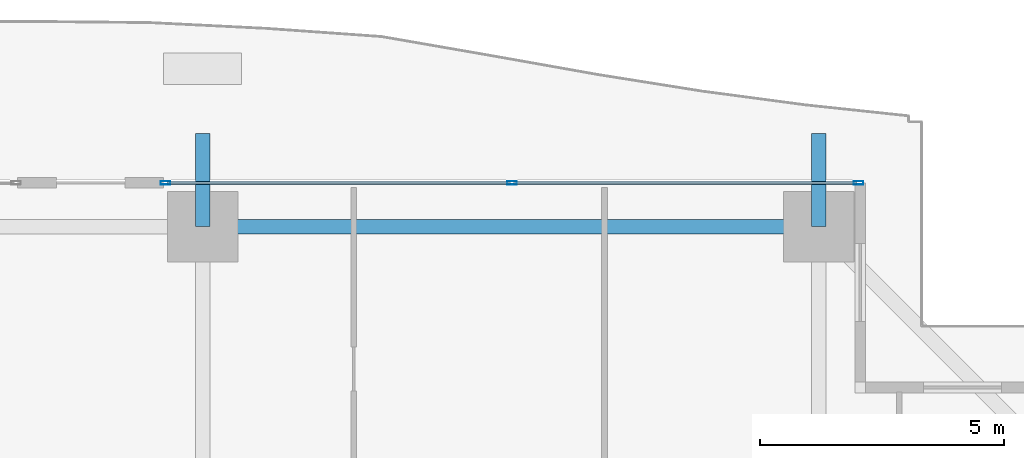
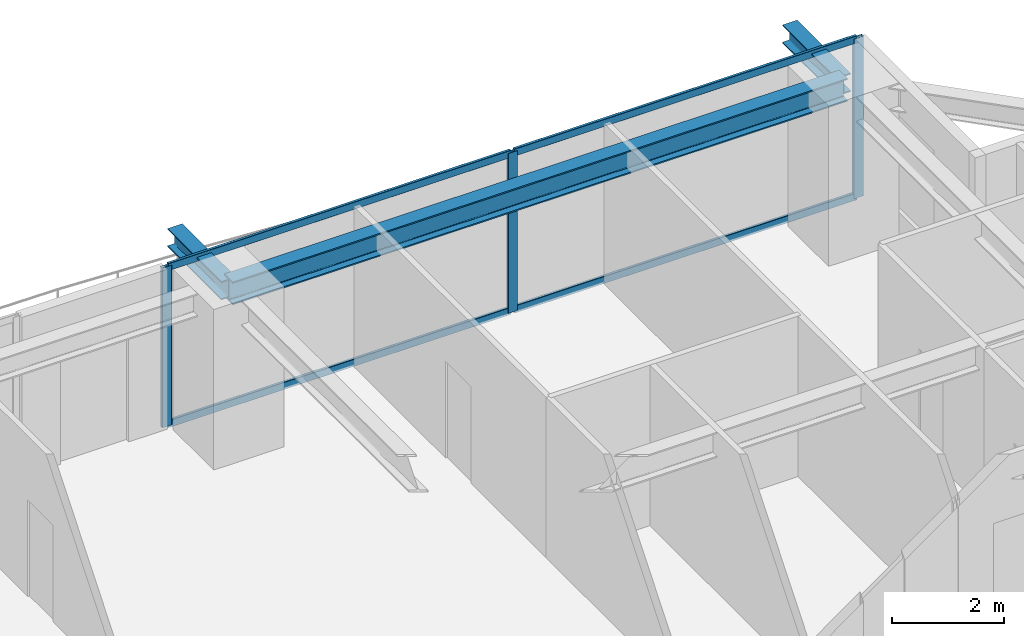
# One storey, part 21 of 36: 7 members, 3 beams, 1 element without a shape of its own.
"""IFC4 building model written with IfcOpenShell, lengths in metres."""

import ifcopenshell
import ifcopenshell.guid

model = None  # the IFC model being written
_history = None  # IfcOwnerHistory: only IFC2X3 demands one
_inside = {}  # id of a spatial element -> (the spatial element, [elements in it])
_under = {}  # id of a project, library or spatial element -> (it, [spatial elements below it])
_declared = {}  # id of a project -> (the project, [libraries it declares])
_typed = {}  # id of a type object -> (the type object, [elements of that type])
_made_of = {}  # id of a material, layer set ... -> (it, [elements and type objects made of it])


def new_model(schema):
    """Start an empty IFC model of exactly this schema.

    Asked for "IFC4X3", IfcOpenShell would pick the latest addendum, in which some entities
    have other attributes; the version numbers below select the first issue.
    IFC2X3 requires an IfcOwnerHistory on every rooted entity: one is made here for all.
    """
    global model, _history
    if schema == "IFC4X3":
        model = ifcopenshell.file(schema_version=(4, 3, 0, 0))
    else:
        model = ifcopenshell.file(schema=schema)
    _inside.clear()
    _under.clear()
    _declared.clear()
    _typed.clear()
    _made_of.clear()
    _history = None
    if model.schema == "IFC2X3":
        org = make("IfcOrganization", Name="unknown")
        user = make(
            "IfcPersonAndOrganization",
            ThePerson=make("IfcPerson", FamilyName="unknown"),
            TheOrganization=org,
        )
        app = make(
            "IfcApplication",
            ApplicationDeveloper=org,
            Version="unknown",
            ApplicationFullName="unknown",
            ApplicationIdentifier="unknown",
        )
        _history = make(
            "IfcOwnerHistory",
            OwningUser=user,
            OwningApplication=app,
            ChangeAction="ADDED",
            CreationDate=0,
        )
    return model


def make(cls, **values):
    """One entity of the class cls with the attributes given. An attribute that is None is left unset."""
    return model.create_entity(
        cls, **{name: value for name, value in values.items() if value is not None}
    )


def rooted(cls, **values):
    """An entity with a GlobalId (a new one), such as an element, a storey or a relation."""
    return make(cls, GlobalId=ifcopenshell.guid.new(), OwnerHistory=_history, **values)


def si_unit(unit_type, name, prefix=None):
    """IfcSIUnit, for example si_unit("LENGTHUNIT", "METRE", prefix="MILLI")."""
    return make("IfcSIUnit", UnitType=unit_type, Prefix=prefix, Name=name)


def assignment(units):
    """IfcUnitAssignment: the units of a project."""
    return None if units is None else make("IfcUnitAssignment", Units=units)


def point(xyz):
    """IfcCartesianPoint."""
    return None if xyz is None else make("IfcCartesianPoint", Coordinates=xyz)


def direction(xyz):
    """IfcDirection."""
    return None if xyz is None else make("IfcDirection", DirectionRatios=xyz)


def frame(location, z_axis=None, x_axis=None):
    """IfcAxis2Placement3D, a coordinate frame: its origin and axes. An axis left out is left unset."""
    return make(
        "IfcAxis2Placement3D",
        Location=point(location),
        Axis=direction(z_axis),
        RefDirection=direction(x_axis),
    )


def frame_2d(location, x_axis=None):
    """IfcAxis2Placement2D, a coordinate frame in the plane: its origin and x axis."""
    return make(
        "IfcAxis2Placement2D", Location=point(location), RefDirection=direction(x_axis)
    )


def origin():
    """The frame at (0, 0, 0) with its axes left unset."""
    return frame((0.0, 0.0, 0.0))


def origin_2d():
    """The frame at (0, 0) in the plane with its x axis left unset."""
    return frame_2d((0.0, 0.0))


def place(relative_to, where):
    """IfcLocalPlacement: puts the frame where relative to a parent placement (None: the world)."""
    return make(
        "IfcLocalPlacement", PlacementRelTo=relative_to, RelativePlacement=where
    )


def context(
    kind, dimensions, precision=None, world=None, true_north=None, identifier=None
):
    """IfcGeometricRepresentationContext, for example the 3D "Model" context."""
    return make(
        "IfcGeometricRepresentationContext",
        ContextIdentifier=identifier,
        ContextType=kind,
        CoordinateSpaceDimension=dimensions,
        Precision=precision,
        WorldCoordinateSystem=world,
        TrueNorth=true_north,
    )


def subcontext(parent, identifier, kind, view, scale=None):
    """IfcGeometricRepresentationSubContext, for example "Body" below "Model"."""
    return make(
        "IfcGeometricRepresentationSubContext",
        ContextIdentifier=identifier,
        ContextType=kind,
        ParentContext=parent,
        TargetScale=scale,
        TargetView=view,
    )


def project(units=None, contexts=None):
    """IfcProject with its units and contexts."""
    return rooted(
        "IfcProject",
        Name="project",
        RepresentationContexts=contexts,
        UnitsInContext=assignment(units),
    )


def spatial(cls, under=None, at=None, **own):
    """A site, building, storey or space (cls), placed at a placement, below another one or the project."""
    s = rooted(cls, ObjectPlacement=at, **own)
    if under is not None:
        _under.setdefault(under.id(), (under, []))[1].append(s)
    return s


def profile(cls, at=None, kind="AREA", **sizes):
    """A parametric profile (cls). Its sizes go by their IFC names, for example OverallWidth=200.0."""
    return make(cls, ProfileType=kind, Position=at, **sizes)


def hollow_rectangle(**sizes):
    """IfcRectangleHollowProfileDef."""
    return profile("IfcRectangleHollowProfileDef", **sizes)


def i_section(**sizes):
    """IfcIShapeProfileDef."""
    return profile("IfcIShapeProfileDef", **sizes)


def extrude(swept, where, along, depth):
    """IfcExtrudedAreaSolid: the profile swept, set in the frame where, extruded along a direction by depth."""
    return make(
        "IfcExtrudedAreaSolid",
        SweptArea=swept,
        Position=where,
        ExtrudedDirection=direction(along),
        Depth=depth,
    )


def shape(context_of_items, identifier, shape_type, items):
    """IfcShapeRepresentation: the items that make up one representation, for example the "Body"."""
    return make(
        "IfcShapeRepresentation",
        ContextOfItems=context_of_items,
        RepresentationIdentifier=identifier,
        RepresentationType=shape_type,
        Items=items,
    )


def source(mapping_origin, context_of_items, identifier, shape_type, items):
    """IfcRepresentationMap: a shape defined once, which mapped items show again and again."""
    return make(
        "IfcRepresentationMap",
        MappingOrigin=mapping_origin,
        MappedRepresentation=shape(context_of_items, identifier, shape_type, items),
    )


def transform(
    local_origin,
    x_axis=None,
    y_axis=None,
    z_axis=None,
    scale=None,
    scale2=None,
    scale3=None,
    uniform=True,
):
    """IfcCartesianTransformationOperator3D, or its non-uniform kind. x_axis, y_axis, z_axis: its Axis1, 2, 3."""
    if uniform:
        return make(
            "IfcCartesianTransformationOperator3D",
            Axis1=direction(x_axis),
            Axis2=direction(y_axis),
            LocalOrigin=point(local_origin),
            Scale=scale,
            Axis3=direction(z_axis),
        )
    return make(
        "IfcCartesianTransformationOperator3DnonUniform",
        Axis1=direction(x_axis),
        Axis2=direction(y_axis),
        LocalOrigin=point(local_origin),
        Scale=scale,
        Axis3=direction(z_axis),
        Scale2=scale2,
        Scale3=scale3,
    )


def mapped(mapping_source, mapping_target):
    """IfcMappedItem: shows the shape of a source again, moved by a transform."""
    return make(
        "IfcMappedItem", MappingSource=mapping_source, MappingTarget=mapping_target
    )


def material(Name=None, Category=None):
    """IfcMaterial."""
    return make("IfcMaterial", Name=Name, Category=Category)


def layer(
    of_material, thickness, ventilated=None, Name=None, Category=None, Priority=None
):
    """IfcMaterialLayer: one layer of a wall or slab, of a material (None: an air gap)."""
    return make(
        "IfcMaterialLayer",
        Material=of_material,
        LayerThickness=thickness,
        IsVentilated=ventilated,
        Name=Name,
        Category=Category,
        Priority=Priority,
    )


def layer_set(layers, Name=None):
    """IfcMaterialLayerSet."""
    return make("IfcMaterialLayerSet", MaterialLayers=layers, LayerSetName=Name)


def material_profile(
    of_material, cross_section, Name=None, Category=None, Priority=None
):
    """IfcMaterialProfile: a cross section and its material."""
    return make(
        "IfcMaterialProfile",
        Name=Name,
        Material=of_material,
        Profile=cross_section,
        Priority=Priority,
        Category=Category,
    )


def profile_set(profiles, Name=None, composite=None):
    """IfcMaterialProfileSet."""
    return make(
        "IfcMaterialProfileSet",
        Name=Name,
        MaterialProfiles=profiles,
        CompositeProfile=composite,
    )


def made_of(thing, what):
    """Note that an element or type object is made of a material, layer set ...; save() writes the relation."""
    if what is not None:
        _made_of.setdefault(what.id(), (what, []))[1].append(thing)
    return thing


def type_object(cls, material=None, **own):
    """A type object (cls), such as IfcWallType, which elements share."""
    return made_of(rooted(cls, **own), material)


def element(
    cls,
    number,
    at=None,
    inside=None,
    cuts=None,
    type_object=None,
    material=None,
    context=None,
    identifier="Body",
    shape_type=None,
    held_by="IfcProductDefinitionShape",
    body=None,
    shapes=None,
    **own,
):
    """One element of the class cls, such as IfcWall. Its Tag is "e" and its number.

    at: its placement. inside: the storey or other place that contains it. cuts: it is an
    opening in that element (IfcRelVoidsElement). A single representation is given by context,
    identifier, shape_type and body (its items); several are given by shapes. held_by: the class
    of the entity that holds the representations. save() writes the other relations.
    """
    e = rooted(cls, Tag="e%d" % number, ObjectPlacement=at, **own)
    if body is not None:
        shapes = [shape(context, identifier, shape_type, body)]
    if shapes is not None:
        e.Representation = make(held_by, Representations=shapes)
    if inside is not None:
        _inside.setdefault(inside.id(), (inside, []))[1].append(e)
    if cuts is not None:
        rooted(
            "IfcRelVoidsElement", RelatingBuildingElement=cuts, RelatedOpeningElement=e
        )
    if type_object is not None:
        _typed.setdefault(type_object.id(), (type_object, []))[1].append(e)
    return made_of(e, material)


def aggregate(whole, parts):
    """IfcRelAggregates: a whole, such as a stair, and the parts it consists of."""
    return rooted("IfcRelAggregates", RelatingObject=whole, RelatedObjects=parts)


def save(model, path):
    """Write the relations noted so far, then the file.

    IfcRelAggregates (storeys below a building ...), IfcRelContainedInSpatialStructure (elements
    in a storey), IfcRelDefinesByType, IfcRelAssociatesMaterial and IfcRelDeclares: one each for
    every whole, place, type object, material and project.
    """
    for whole, parts in _under.values():
        aggregate(whole, parts)
    for where, things in _inside.values():
        rooted(
            "IfcRelContainedInSpatialStructure",
            RelatedElements=things,
            RelatingStructure=where,
        )
    for kind, things in _typed.values():
        rooted("IfcRelDefinesByType", RelatedObjects=things, RelatingType=kind)
    for what, things in _made_of.values():
        rooted("IfcRelAssociatesMaterial", RelatedObjects=things, RelatingMaterial=what)
    for by, libraries in _declared.values():
        rooted("IfcRelDeclares", RelatingContext=by, RelatedDefinitions=libraries)
    model.write(path)


model = new_model("IFC4")

# Units and contexts
model_context = context("Model", 3, precision=1e-05, world=origin(), true_north=direction((0.0, 1.0)))
body_context = subcontext(model_context, "Body", "Model", "MODEL_VIEW")
ifc_project = project(units=[si_unit("LENGTHUNIT", "METRE"), si_unit("AREAUNIT", "SQUARE_METRE"), si_unit("VOLUMEUNIT", "CUBIC_METRE"), si_unit("PLANEANGLEUNIT", "RADIAN"), si_unit("MASSUNIT", "GRAM", prefix="KILO")], contexts=[model_context])

# Site, building, storey
site_placement = place(None, origin())
site = spatial("IfcSite", under=ifc_project, at=site_placement, CompositionType="ELEMENT")
building_placement = place(site_placement, origin())
building = spatial("IfcBuilding", under=site, at=building_placement, Name="Serunith Strait Residences", CompositionType="ELEMENT")
storey_placement = place(building_placement, frame((0.0, 0.0, 86.699951171875)))
storey = spatial("IfcBuildingStorey", under=building, at=storey_placement, Name="L21", CompositionType="ELEMENT", Elevation=86.699951171875)

# Beams
ifc_material_1 = material(Name="Steel S355J2", Category="steel")
ifc_material_profile_1 = material_profile(ifc_material_1, i_section(OverallWidth=0.300048828125, OverallDepth=0.5, WebThickness=0.014404296875, FlangeThickness=0.028076171875, FilletRadius=0.027099609375, at=origin_2d()), Name="HEB 500")
ifc_profile_set_1 = profile_set([ifc_material_profile_1], Name="Steel S355J2")
beam_type_1 = type_object("IfcBeamType", Name="BM-HEB500", PredefinedType="BEAM", material=ifc_profile_set_1)
shared_shape_1 = source(origin(), body_context, "Body", "SweptSolid", [
    extrude(i_section(OverallWidth=0.300048828125, OverallDepth=0.5, WebThickness=0.014404296875, FlangeThickness=0.028076171875, FilletRadius=0.027099609375, at=origin_2d()), origin(), (0.0, 0.0, 1.0), 12.650146484375),
])
beam_placement = place(storey_placement, frame((49.550048828125, 49.300048828125, 3.237060546875), z_axis=(-1.0, 0.0, 0.0), x_axis=(0.0, -1.0, 0.0)))
element("IfcBeam", 1, at=beam_placement, inside=storey, type_object=beam_type_1, Name="L21 Perimeter Ring Beam 09", PredefinedType="BEAM", context=body_context, shape_type="MappedRepresentation", body=[
    mapped(shared_shape_1, transform((0.0, 0.0, 0.0), scale=1.0)),
])
ifc_material_profile_2 = material_profile(ifc_material_1, i_section(OverallWidth=0.300048828125, OverallDepth=0.39990234375, WebThickness=0.013427734375, FlangeThickness=0.02392578125, FilletRadius=0.027099609375, at=origin_2d()), Name="HEB 400")
ifc_profile_set_2 = profile_set([ifc_material_profile_2], Name="Steel S355J2")
beam_type_2 = type_object("IfcBeamType", Name="BM-HEB400", PredefinedType="BEAM", material=ifc_profile_set_2)
shared_shape_2 = source(origin(), body_context, "Body", "SweptSolid", [
    extrude(i_section(OverallWidth=0.300048828125, OverallDepth=0.39990234375, WebThickness=0.013427734375, FlangeThickness=0.02392578125, FilletRadius=0.027099609375, at=origin_2d()), origin(), (0.0, 0.0, 1.0), 1.909912109375),
])
for number, where, z_axis, x_axis, name in (
    (2, (36.89990234375, 49.300048828125, 3.257080078125), (0.0, 1.0, 0.0), (-1.0, 0.0, 0.0), "L22 Cantilevered Balcony Rib TC-N3"),
    (3, (49.550048828125, 49.300048828125, 3.257080078125), (0.0, 1.0, 0.0), (-1.0, 0.0, 0.0), "L22 Cantilevered Balcony Rib TC-N4"),
):
    element("IfcBeam", number, at=place(storey_placement, frame(where, z_axis=z_axis, x_axis=x_axis)), inside=storey, type_object=beam_type_2, Name=name, PredefinedType="BEAM", context=body_context, shape_type="MappedRepresentation", body=[
        mapped(shared_shape_2, transform((0.0, 0.0, 0.0), scale=1.0)),
    ])

# Curtain wall, members
ifc_material_2 = material(Name="Pale-Champagne Anodised Aluminium", Category="aluminium")
ifc_layer = layer(ifc_material_2, 0.199951171875, Name="Pale-Champagne Anodised Aluminium")
ifc_layer_set = layer_set([ifc_layer], Name="Pale-Champagne Anodised Aluminium")
curtain_wall_type = type_object("IfcCurtainWallType", Name="CW-SYS1", PredefinedType="NOTDEFINED", material=ifc_layer_set)
curtain_wall_placement = place(storey_placement, origin())
curtain_wall = element("IfcCurtainWall", 4, at=curtain_wall_placement, inside=storey, type_object=curtain_wall_type, Name="L21 N Unitised Fritted Curtain Wall", PredefinedType="NOTDEFINED")
ifc_material_profile_3 = material_profile(ifc_material_2, hollow_rectangle(XDim=0.070068359375, YDim=0.199951171875, WallThickness=0.00390625, InnerFilletRadius=0.006103515625, OuterFilletRadius=0.010009765625, at=origin_2d()), Name="ALU 200x70x4")
ifc_profile_set_3 = profile_set([ifc_material_profile_3], Name="Pale-Champagne Anodised Aluminium")
member_type_1 = type_object("IfcMemberType", Name="CW-SYS1-MULL", PredefinedType="MULLION", material=ifc_profile_set_3)
shared_shape_3 = source(origin(), body_context, "Body", "SweptSolid", [
    extrude(hollow_rectangle(XDim=0.070068359375, YDim=0.199951171875, WallThickness=0.00390625, InnerFilletRadius=0.006103515625, OuterFilletRadius=0.010009765625, at=origin_2d()), origin(), (0.0, 0.0, 1.0), 3.47509765625),
])
member_1_placement = place(storey_placement, frame((50.364990234375, 50.199951171875, 0.0), z_axis=(0.0, 0.0, 1.0), x_axis=(0.0, -1.0, 0.0)))
member_1 = element("IfcMember", 5, at=member_1_placement, type_object=member_type_1, Name="CW-1 mullion 1", PredefinedType="MULLION", context=body_context, shape_type="MappedRepresentation", body=[
    mapped(shared_shape_3, transform((0.0, 0.0, 0.0), scale=1.0)),
])
member_2_placement = place(storey_placement, frame((43.25, 50.199951171875, 0.0), z_axis=(0.0, 0.0, 1.0), x_axis=(0.0, -1.0, 0.0)))
member_2 = element("IfcMember", 6, at=member_2_placement, type_object=member_type_1, Name="CW-1 mullion 2", PredefinedType="MULLION", context=body_context, shape_type="MappedRepresentation", body=[
    mapped(shared_shape_3, transform((0.0, 0.0, 0.0), scale=1.0)),
])
member_3_placement = place(storey_placement, frame((36.135009765625, 50.199951171875, 0.0), z_axis=(0.0, 0.0, 1.0), x_axis=(0.0, -1.0, 0.0)))
member_3 = element("IfcMember", 7, at=member_3_placement, type_object=member_type_1, Name="CW-1 mullion 3", PredefinedType="MULLION", context=body_context, shape_type="MappedRepresentation", body=[
    mapped(shared_shape_3, transform((0.0, 0.0, 0.0), scale=1.0)),
])
ifc_material_profile_4 = material_profile(ifc_material_2, hollow_rectangle(XDim=0.06005859375, YDim=0.159912109375, WallThickness=0.00341796875, InnerFilletRadius=0.00537109375, OuterFilletRadius=0.0087890625, at=origin_2d()), Name="ALU 160x60x3.5")
ifc_profile_set_4 = profile_set([ifc_material_profile_4], Name="Pale-Champagne Anodised Aluminium")
member_type_2 = type_object("IfcMemberType", Name="CW-SYS1-TRAN", PredefinedType="USERDEFINED", material=ifc_profile_set_4)
shared_shape_4 = source(origin(), body_context, "Body", "SweptSolid", [
    extrude(hollow_rectangle(XDim=0.06005859375, YDim=0.159912109375, WallThickness=0.00341796875, InnerFilletRadius=0.00537109375, OuterFilletRadius=0.0087890625, at=origin_2d()), origin(), (0.0, 0.0, 1.0), 7.045166015625),
])
member_4_placement = place(storey_placement, frame((50.330078125, 50.199951171875, 0.030029296875), z_axis=(-1.0, 0.0, 0.0), x_axis=(0.0, -1.0, 0.0)))
member_4 = element("IfcMember", 8, at=member_4_placement, type_object=member_type_2, Name="CW-1 transom 1.1", ObjectType="TRANSOM", PredefinedType="USERDEFINED", context=body_context, shape_type="MappedRepresentation", body=[
    mapped(shared_shape_4, transform((0.0, 0.0, 0.0), scale=1.0)),
])
member_5_placement = place(storey_placement, frame((50.330078125, 50.199951171875, 3.445068359375), z_axis=(-1.0, 0.0, 0.0), x_axis=(0.0, -1.0, 0.0)))
member_5 = element("IfcMember", 9, at=member_5_placement, type_object=member_type_2, Name="CW-1 transom 1.2", ObjectType="TRANSOM", PredefinedType="USERDEFINED", context=body_context, shape_type="MappedRepresentation", body=[
    mapped(shared_shape_4, transform((0.0, 0.0, 0.0), scale=1.0)),
])
member_6_placement = place(storey_placement, frame((43.215087890625, 50.199951171875, 0.030029296875), z_axis=(-1.0, 0.0, 0.0), x_axis=(0.0, -1.0, 0.0)))
member_6 = element("IfcMember", 10, at=member_6_placement, type_object=member_type_2, Name="CW-1 transom 2.1", ObjectType="TRANSOM", PredefinedType="USERDEFINED", context=body_context, shape_type="MappedRepresentation", body=[
    mapped(shared_shape_4, transform((0.0, 0.0, 0.0), scale=1.0)),
])
member_7_placement = place(storey_placement, frame((43.215087890625, 50.199951171875, 3.445068359375), z_axis=(-1.0, 0.0, 0.0), x_axis=(0.0, -1.0, 0.0)))
member_7 = element("IfcMember", 11, at=member_7_placement, type_object=member_type_2, Name="CW-1 transom 2.2", ObjectType="TRANSOM", PredefinedType="USERDEFINED", context=body_context, shape_type="MappedRepresentation", body=[
    mapped(shared_shape_4, transform((0.0, 0.0, 0.0), scale=1.0)),
])
aggregate(curtain_wall, [member_1, member_2, member_3, member_4, member_5, member_6, member_7])

save(model, "model.ifc")
